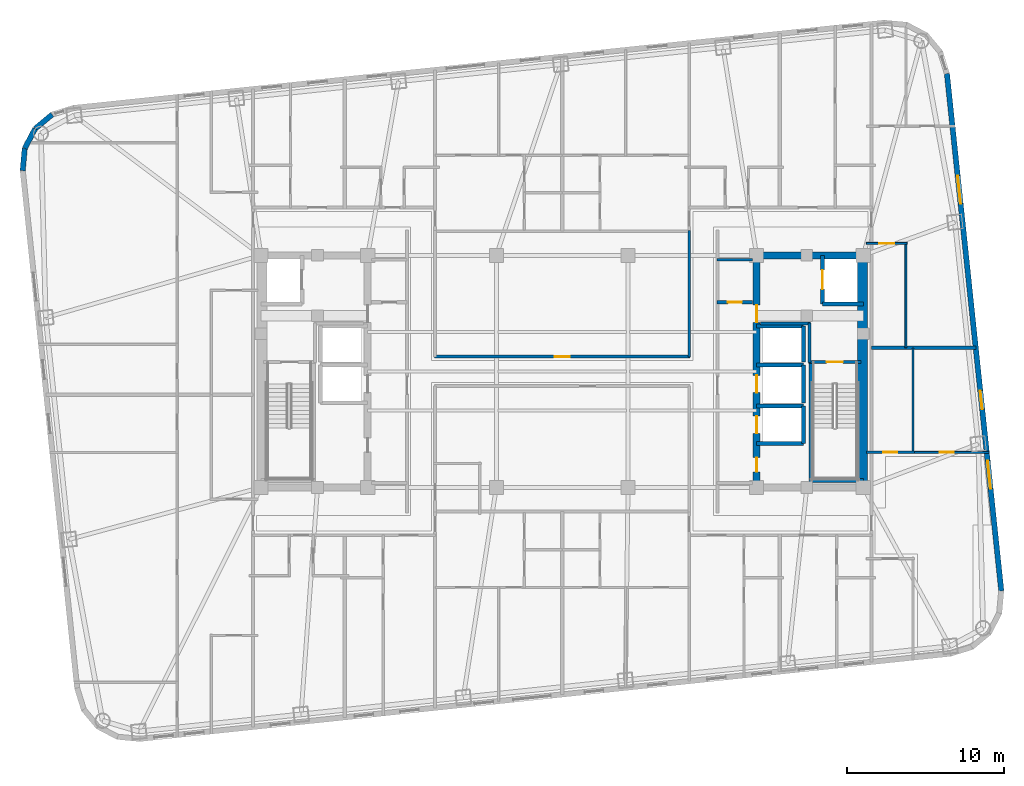
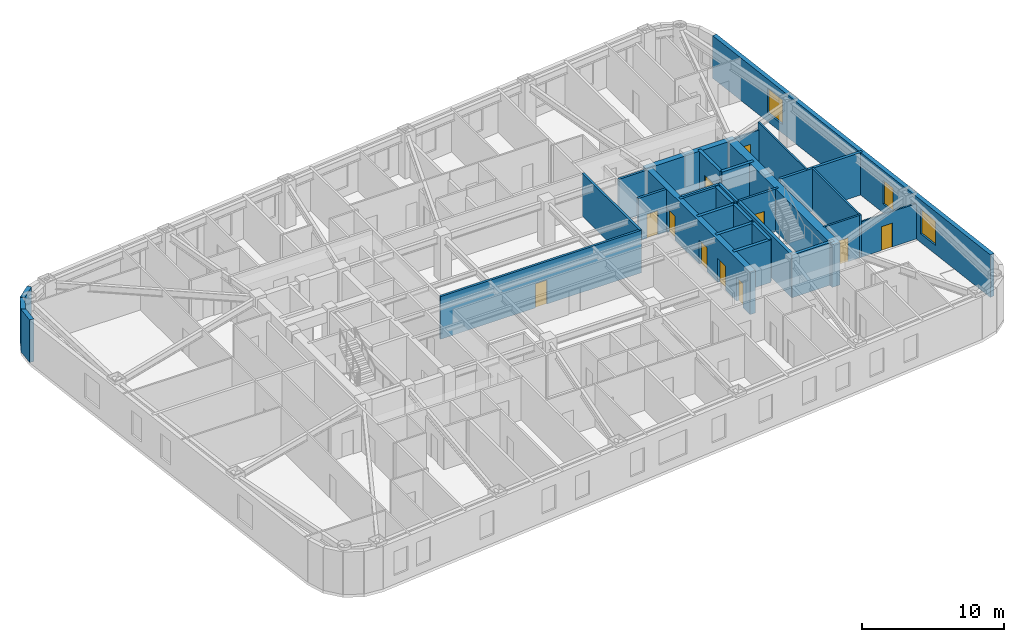
# One storey, part 6 of 12: 31 walls, 11 doors, 3 windows, 14 openings.
"""IFC4 building model written with IfcOpenShell, lengths in metres."""

from ifc_helpers import new_model, si_unit, direction, frame, frame_2d, origin, place, context, subcontext, project, spatial, rectangle, extrude, material, layer, layer_set, type_object, element, fill, save


model = new_model("IFC4")

# Units and contexts
model_context = context("Model", 3, precision=1e-05, world=origin(), true_north=direction((0.0, 1.0)))
body_context = subcontext(model_context, "Body", "Model", "MODEL_VIEW")
ifc_project = project(units=[si_unit("LENGTHUNIT", "METRE"), si_unit("AREAUNIT", "SQUARE_METRE"), si_unit("VOLUMEUNIT", "CUBIC_METRE"), si_unit("PLANEANGLEUNIT", "RADIAN"), si_unit("MASSUNIT", "GRAM", prefix="KILO")], contexts=[model_context])

# Site, building, storey
site_placement = place(None, origin())
site = spatial("IfcSite", under=ifc_project, at=site_placement, CompositionType="ELEMENT")
building_placement = place(site_placement, origin())
building = spatial("IfcBuilding", under=site, at=building_placement, Name="Voryun Gate Residences", CompositionType="ELEMENT")
storey_placement = place(building_placement, frame((0.0, 0.0, 159.89990234375)))
storey = spatial("IfcBuildingStorey", under=building, at=storey_placement, Name="L39", CompositionType="ELEMENT", Elevation=159.89990234375)

# Wall
ifc_material_1 = material(Name="Concrete C50/60", Category="concrete")
ifc_layer_1 = layer(ifc_material_1, 0.449951171875, Name="CW_CORE_450")
ifc_layer_set_1 = layer_set([ifc_layer_1], Name="Concrete C50/60")
wall_type_1 = type_object("IfcWallType", Name="CW_CORE_450", PredefinedType="SHEAR", material=ifc_layer_set_1)
wall_1_placement = place(storey_placement, frame((12.175048828125, 7.39990234375, 0.0), z_axis=(0.0, 0.0, 1.0), x_axis=(1.0, 0.0, 0.0)))
element("IfcWall", 1, at=wall_1_placement, inside=storey, type_object=wall_type_1, Name="L39 Core shear wall CW-L39-EN", PredefinedType="SHEAR", context=body_context, shape_type="SweptSolid", body=[
    extrude(rectangle(XDim=7.25, YDim=0.449951171875, at=frame_2d((3.625, 0.0))), origin(), (0.0, 0.0, 1.0), 3.650146484375),
])

# Wall, openings, doors
wall_2_placement = place(storey_placement, frame((12.39990234375, -7.39990234375, 0.0), z_axis=(0.0, 0.0, 1.0), x_axis=(0.0, 1.0, 0.0)))
wall_2 = element("IfcWall", 2, at=wall_2_placement, inside=storey, type_object=wall_type_1, Name="L39 Core shear wall CW-L39-EW", PredefinedType="SHEAR", context=body_context, shape_type="SweptSolid", body=[
    extrude(rectangle(XDim=14.7998046875, YDim=0.449951171875, at=frame_2d((7.39990234375, 0.0))), origin(), (0.0, 0.0, 1.0), 3.650146484375),
])
opening_1_placement = place(wall_2_placement, frame((3.449951171875, 0.0, 0.0)))
opening_1 = element("IfcOpeningElement", 3, at=opening_1_placement, cuts=wall_2, Name="Opening LD2", PredefinedType="OPENING", context=body_context, shape_type="SweptSolid", body=[
    extrude(rectangle(XDim=1.10009765625, YDim=2.050048828125, at=frame_2d((0.550048828125, 1.02490234375))), frame((0.0, 0.235107421875, 0.0), z_axis=(0.0, -1.0, 0.0), x_axis=(1.0, 0.0, 0.0)), (0.0, 0.0, 1.0), 0.469970703125),
])
opening_2_placement = place(wall_2_placement, frame((6.050048828125, 0.0, 0.0)))
opening_2 = element("IfcOpeningElement", 4, at=opening_2_placement, cuts=wall_2, Name="Opening LD2", PredefinedType="OPENING", context=body_context, shape_type="SweptSolid", body=[
    extrude(rectangle(XDim=1.10009765625, YDim=2.050048828125, at=frame_2d((0.550048828125, 1.02490234375))), frame((0.0, 0.235107421875, 0.0), z_axis=(0.0, -1.0, 0.0), x_axis=(1.0, 0.0, 0.0)), (0.0, 0.0, 1.0), 0.469970703125),
])
opening_3_placement = place(wall_2_placement, frame((10.530029296875, 0.0, 0.0)))
opening_3 = element("IfcOpeningElement", 5, at=opening_3_placement, cuts=wall_2, Name="Opening D-FD60-2", PredefinedType="OPENING", context=body_context, shape_type="SweptSolid", body=[
    extrude(rectangle(XDim=1.10009765625, YDim=2.050048828125, at=frame_2d((0.550048828125, 1.02490234375))), frame((0.0, 0.235107421875, 0.0), z_axis=(0.0, -1.0, 0.0), x_axis=(1.0, 0.0, 0.0)), (0.0, 0.0, 1.0), 0.469970703125),
])
opening_4_placement = place(wall_2_placement, frame((1.0, 0.0, 0.0)))
opening_4 = element("IfcOpeningElement", 6, at=opening_4_placement, cuts=wall_2, Name="Opening D-FD60-4", PredefinedType="OPENING", context=body_context, shape_type="SweptSolid", body=[
    extrude(rectangle(XDim=0.89990234375, YDim=2.050048828125, at=frame_2d((0.449951171875, 1.02490234375))), frame((0.0, 0.235107421875, 0.0), z_axis=(0.0, -1.0, 0.0), x_axis=(1.0, 0.0, 0.0)), (0.0, 0.0, 1.0), 0.469970703125),
])
ifc_material_2 = material(Name="Painted steel fire door", Category="steel")
door_type_1 = type_object("IfcDoorType", Name="DR_FD60_FFLOB_1100", OperationType="NOTDEFINED", PredefinedType="DOOR", material=ifc_material_2)
door_1_placement = place(opening_3_placement, origin())
door_1 = element("IfcDoor", 7, at=door_1_placement, inside=storey, type_object=door_type_1, Name="Door DR-L39-CLOB-E", OperationType="SINGLE_SWING_RIGHT", OverallHeight=2.050048828125, OverallWidth=1.10009765625, PredefinedType="DOOR", context=body_context, shape_type="SweptSolid", body=[
    extrude(rectangle(XDim=1.10009765625, YDim=2.050048828125, at=frame_2d((0.550048828125, 1.02490234375))), frame((0.0, 0.02490234375, 0.0), z_axis=(0.0, -1.0, 0.0), x_axis=(1.0, 0.0, 0.0)), (0.0, 0.0, 1.0), 0.050048828125),
])
fill(opening_3, door_1)
ifc_material_3 = material(Name="Painted steel fire door", Category="steel")
door_type_2 = type_object("IfcDoorType", Name="DR_FD60_RISER_900", OperationType="NOTDEFINED", PredefinedType="DOOR", material=ifc_material_3)
door_2_placement = place(opening_4_placement, origin())
door_2 = element("IfcDoor", 8, at=door_2_placement, inside=storey, type_object=door_type_2, Name="Door DR-L39-RECE1", OperationType="SINGLE_SWING_RIGHT", OverallHeight=2.050048828125, OverallWidth=0.89990234375, PredefinedType="DOOR", context=body_context, shape_type="SweptSolid", body=[
    extrude(rectangle(XDim=0.89990234375, YDim=2.050048828125, at=frame_2d((0.449951171875, 1.02490234375))), frame((0.0, 0.02490234375, 0.0), z_axis=(0.0, -1.0, 0.0), x_axis=(1.0, 0.0, 0.0)), (0.0, 0.0, 1.0), 0.050048828125),
])
fill(opening_4, door_2)
ifc_material_4 = material(Name="Anodised aluminium", Category="aluminium")
door_type_3 = type_object("IfcDoorType", Name="DR_LD_PASS_1100", OperationType="NOTDEFINED", PredefinedType="DOOR", material=ifc_material_4)
door_3_placement = place(opening_1_placement, origin())
door_3 = element("IfcDoor", 9, at=door_3_placement, inside=storey, type_object=door_type_3, Name="Lift EL-P5 sliding landing door L39", OperationType="SLIDING_TO_LEFT", OverallHeight=2.050048828125, OverallWidth=1.10009765625, PredefinedType="DOOR", context=body_context, shape_type="SweptSolid", body=[
    extrude(rectangle(XDim=1.10009765625, YDim=2.050048828125, at=frame_2d((0.550048828125, 1.02490234375))), frame((0.0, 0.02490234375, 0.0), z_axis=(0.0, -1.0, 0.0), x_axis=(1.0, 0.0, 0.0)), (0.0, 0.0, 1.0), 0.050048828125),
])
fill(opening_1, door_3)
door_4_placement = place(opening_2_placement, origin())
door_4 = element("IfcDoor", 10, at=door_4_placement, inside=storey, type_object=door_type_3, Name="Lift EL-P6 sliding landing door L39", OperationType="SLIDING_TO_LEFT", OverallHeight=2.050048828125, OverallWidth=1.10009765625, PredefinedType="DOOR", context=body_context, shape_type="SweptSolid", body=[
    extrude(rectangle(XDim=1.10009765625, YDim=2.050048828125, at=frame_2d((0.550048828125, 1.02490234375))), frame((0.0, 0.02490234375, 0.0), z_axis=(0.0, -1.0, 0.0), x_axis=(1.0, 0.0, 0.0)), (0.0, 0.0, 1.0), 0.050048828125),
])
fill(opening_2, door_4)

# Wall
ifc_material_5 = material(Name="Concrete C60/75", Category="concrete")
ifc_layer_2 = layer(ifc_material_5, 0.64990234375, Name="CW_CORE_650")
ifc_layer_set_2 = layer_set([ifc_layer_2], Name="Concrete C60/75")
wall_type_2 = type_object("IfcWallType", Name="CW_CORE_650", PredefinedType="SHEAR", material=ifc_layer_set_2)
wall_3_placement = place(storey_placement, frame((19.14501953125, -7.39990234375, 0.0), z_axis=(0.0, 0.0, 1.0), x_axis=(0.0, 1.0, 0.0)))
element("IfcWall", 11, at=wall_3_placement, inside=storey, type_object=wall_type_2, Name="L39 Core shear wall CW-L39-EE", PredefinedType="SHEAR", context=body_context, shape_type="SweptSolid", body=[
    extrude(rectangle(XDim=14.7998046875, YDim=0.64990234375, at=frame_2d((7.39990234375, 0.0))), origin(), (0.0, 0.0, 1.0), 3.650146484375),
])

# Wall, opening, door
ifc_material_6 = material(Name="Gypsum acoustic fireboard")
ifc_layer_3 = layer(ifc_material_6, 0.179931640625, Name="W_CORR_RATED_180")
ifc_layer_set_3 = layer_set([ifc_layer_3], Name="Gypsum acoustic fireboard")
wall_type_3 = type_object("IfcWallType", Name="W_CORR_RATED_180", PredefinedType="PARTITIONING", material=ifc_layer_set_3)
wall_4_placement = place(storey_placement, frame((15.699951171875, 0.60009765625, 0.0), z_axis=(0.0, 0.0, 1.0), x_axis=(1.0, 0.0, 0.0)))
wall_4 = element("IfcWall", 12, at=wall_4_placement, inside=storey, type_object=wall_type_3, Name="Partition wall WP-L39-STV-E", PredefinedType="PARTITIONING", context=body_context, shape_type="SweptSolid", body=[
    extrude(rectangle(XDim=3.360107421875, YDim=0.179931640625, at=frame_2d((1.68017578125, 0.0))), origin(), (0.0, 0.0, 1.0), 3.650146484375),
])
opening_5_placement = place(wall_4_placement, frame((1.155029296875, 0.0, 0.0)))
opening_5 = element("IfcOpeningElement", 13, at=opening_5_placement, cuts=wall_4, Name="Opening D-FD60-1", PredefinedType="OPENING", context=body_context, shape_type="SweptSolid", body=[
    extrude(rectangle(XDim=1.050048828125, YDim=2.050048828125, at=frame_2d((0.52490234375, 1.02490234375))), frame((0.0, 0.099853515625, 0.0), z_axis=(0.0, -1.0, 0.0), x_axis=(1.0, 0.0, 0.0)), (0.0, 0.0, 1.0), 0.199951171875),
])
ifc_material_7 = material(Name="Painted steel fire door", Category="steel")
door_type_4 = type_object("IfcDoorType", Name="DR_FD60_STAIR_1050", OperationType="NOTDEFINED", PredefinedType="DOOR", material=ifc_material_7)
door_5_placement = place(opening_5_placement, origin())
door_5 = element("IfcDoor", 14, at=door_5_placement, inside=storey, type_object=door_type_4, Name="Door DR-L39-ST-E", OperationType="SINGLE_SWING_RIGHT", OverallHeight=2.050048828125, OverallWidth=1.050048828125, PredefinedType="DOOR", context=body_context, shape_type="SweptSolid", body=[
    extrude(rectangle(XDim=1.050048828125, YDim=2.050048828125, at=frame_2d((0.52490234375, 1.02490234375))), frame((0.0, 0.02490234375, 0.0), z_axis=(0.0, -1.0, 0.0), x_axis=(1.0, 0.0, 0.0)), (0.0, 0.0, 1.0), 0.050048828125),
])
fill(opening_5, door_5)

# Wall
wall_5_placement = place(storey_placement, frame((9.8798828125, 7.1201171875, 0.0), z_axis=(0.0, 0.0, 1.0), x_axis=(1.0, 0.0, 0.0)))
element("IfcWall", 15, at=wall_5_placement, inside=storey, type_object=wall_type_3, Name="Partition wall WP-L39-PLBN-E", PredefinedType="PARTITIONING", context=body_context, shape_type="SweptSolid", body=[
    extrude(rectangle(XDim=2.27001953125, YDim=0.179931640625, at=frame_2d((1.135009765625, 0.0))), origin(), (0.0, 0.0, 1.0), 3.650146484375),
])

# Wall, opening, door
wall_6_placement = place(storey_placement, frame((-8.14990234375, 0.93994140625, 0.0), z_axis=(0.0, 0.0, 1.0), x_axis=(1.0, 0.0, 0.0)))
wall_6 = element("IfcWall", 16, at=wall_6_placement, inside=storey, type_object=wall_type_3, Name="Partition wall WP-L39-Z2HN", PredefinedType="PARTITIONING", context=body_context, shape_type="SweptSolid", body=[
    extrude(rectangle(XDim=16.2998046875, YDim=0.179931640625, at=frame_2d((8.14990234375, 0.0))), origin(), (0.0, 0.0, 1.0), 3.650146484375),
])
opening_6_placement = place(wall_6_placement, frame((7.675048828125, 0.0, 0.0)))
opening_6 = element("IfcOpeningElement", 17, at=opening_6_placement, cuts=wall_6, Name="Opening D-INT-1", PredefinedType="OPENING", context=body_context, shape_type="SweptSolid", body=[
    extrude(rectangle(XDim=0.949951171875, YDim=2.050048828125, at=frame_2d((0.47509765625, 1.02490234375))), frame((0.0, 0.099853515625, 0.0), z_axis=(0.0, -1.0, 0.0), x_axis=(1.0, 0.0, 0.0)), (0.0, 0.0, 1.0), 0.199951171875),
])
ifc_material_8 = material(Name="Architectural oak veneer")
door_type_5 = type_object("IfcDoorType", Name="DR_INT_ROOM_950", OperationType="NOTDEFINED", PredefinedType="DOOR", material=ifc_material_8)
door_6_placement = place(opening_6_placement, origin())
door_6 = element("IfcDoor", 18, at=door_6_placement, inside=storey, type_object=door_type_5, Name="Door DR-L39-Z2NH", OperationType="SINGLE_SWING_LEFT", OverallHeight=2.050048828125, OverallWidth=0.949951171875, PredefinedType="DOOR", context=body_context, shape_type="SweptSolid", body=[
    extrude(rectangle(XDim=0.949951171875, YDim=2.050048828125, at=frame_2d((0.47509765625, 1.02490234375))), frame((0.0, 0.02490234375, 0.0), z_axis=(0.0, -1.0, 0.0), x_axis=(1.0, 0.0, 0.0)), (0.0, 0.0, 1.0), 0.050048828125),
])
fill(opening_6, door_6)

# Walls
wall_7_placement = place(storey_placement, frame((8.10009765625, 0.919921875, 0.0), z_axis=(0.0, 0.0, 1.0), x_axis=(0.0, 1.0, 0.0)))
element("IfcWall", 19, at=wall_7_placement, inside=storey, type_object=wall_type_3, Name="Partition wall WP-L39-Z2ER1", PredefinedType="PARTITIONING", context=body_context, shape_type="SweptSolid", body=[
    extrude(rectangle(XDim=8.06005859375, YDim=0.179931640625, at=frame_2d((4.030029296875, 0.0))), origin(), (0.0, 0.0, 1.0), 3.650146484375),
])
ifc_material_9 = material(Name="Charcoal terracotta masonry", Category="masonry")
ifc_layer_4 = layer(ifc_material_9, 0.340087890625, Name="W_EXT_TERRACOTTA_340")
ifc_layer_set_4 = layer_set([ifc_layer_4], Name="Charcoal terracotta masonry")
wall_type_4 = type_object("IfcWallType", Name="W_EXT_TERRACOTTA_340", PredefinedType="ELEMENTEDWALL", material=ifc_layer_set_4)
wall_8_placement = place(storey_placement, frame((-34.401123046875, 12.795166015625, 0.0), z_axis=(0.0, 0.0, 1.0), x_axis=(0.091534682358, 0.995801888894, 0.0)))
element("IfcWall", 20, at=wall_8_placement, inside=storey, type_object=wall_type_4, Name="Exterior wall WEXT-L39-07", PredefinedType="ELEMENTEDWALL", context=body_context, shape_type="SweptSolid", body=[
    extrude(rectangle(XDim=1.432373046875, YDim=0.340087890625, at=frame_2d((0.71630859375, 0.0))), origin(), (0.0, 0.0, 1.0), 3.650146484375),
])
for number, where, z_axis, x_axis, name in (
    (21, (-34.27001953125, 14.221435546875, 0.0), (0.0, 0.0, 1.0), (0.465682431293, 0.884951904447, 0.0), "Exterior wall WEXT-L39-08"),
    (22, (-33.611083984375, 15.4736328125, 0.0), (0.0, 0.0, 1.0), (0.768843196093, 0.639437361921, 0.0), "Exterior wall WEXT-L39-09"),
):
    element("IfcWall", number, at=place(storey_placement, frame(where, z_axis=z_axis, x_axis=x_axis)), inside=storey, type_object=wall_type_4, Name=name, PredefinedType="ELEMENTEDWALL", context=body_context, shape_type="SweptSolid", body=[
        extrude(rectangle(XDim=1.4150390625, YDim=0.340087890625, at=frame_2d((0.70751953125, 0.0))), origin(), (0.0, 0.0, 1.0), 3.650146484375),
    ])

# Wall, openings, windows
wall_9_placement = place(storey_placement, frame((24.5341796875, 18.989501953125, 0.0), z_axis=(0.0, 0.0, 1.0), x_axis=(0.104534959766, -0.994521212537, 0.0)))
wall_9 = element("IfcWall", 23, at=wall_9_placement, inside=storey, type_object=wall_type_4, Name="Exterior wall WEXT-L39-16", PredefinedType="ELEMENTEDWALL", context=body_context, shape_type="SweptSolid", body=[
    extrude(rectangle(XDim=33.166259765625, YDim=0.340087890625, at=frame_2d((16.5830078125, 0.0))), origin(), (0.0, 0.0, 1.0), 3.650146484375),
])
opening_7_placement = place(wall_9_placement, frame((6.54150390625, 0.0, 0.75)))
opening_7 = element("IfcOpeningElement", 24, at=opening_7_placement, cuts=wall_9, Name="Opening WN1", PredefinedType="OPENING", context=body_context, shape_type="SweptSolid", body=[
    extrude(rectangle(XDim=1.800048828125, YDim=2.10009765625, at=frame_2d((0.89990234375, 1.050048828125))), frame((0.0, 0.179931640625, 0.0), z_axis=(0.0, -1.0, 0.0), x_axis=(1.0, 0.0, 0.0)), (0.0, 0.0, 1.0), 0.360107421875),
])
opening_8_placement = place(wall_9_placement, frame((24.824951171875, 0.0, 0.75)))
opening_8 = element("IfcOpeningElement", 25, at=opening_8_placement, cuts=wall_9, Name="Opening WN1", PredefinedType="OPENING", context=body_context, shape_type="SweptSolid", body=[
    extrude(rectangle(XDim=1.800048828125, YDim=2.10009765625, at=frame_2d((0.89990234375, 1.050048828125))), frame((0.0, 0.179931640625, 0.0), z_axis=(0.0, -1.0, 0.0), x_axis=(1.0, 0.0, 0.0)), (0.0, 0.0, 1.0), 0.360107421875),
])
opening_9_placement = place(wall_9_placement, frame((20.33203125, 0.0, 0.75)))
opening_9 = element("IfcOpeningElement", 26, at=opening_9_placement, cuts=wall_9, Name="Opening WN6", PredefinedType="OPENING", context=body_context, shape_type="SweptSolid", body=[
    extrude(rectangle(XDim=1.199951171875, YDim=2.050048828125, at=frame_2d((0.60009765625, 1.02490234375))), frame((0.0, 0.179931640625, 0.0), z_axis=(0.0, -1.0, 0.0), x_axis=(1.0, 0.0, 0.0)), (0.0, 0.0, 1.0), 0.360107421875),
])
ifc_material_10 = material(Name="Laminated low-E glass", Category="glass")
window_type_1 = type_object("IfcWindowType", Name="WN_POD_SLOT_1200", PartitioningType="SINGLE_PANEL", PredefinedType="WINDOW", material=ifc_material_10)
window_1_placement = place(opening_9_placement, origin())
window_1 = element("IfcWindow", 27, at=window_1_placement, inside=storey, type_object=window_type_1, Name="Window WN-L39-DWFIX-26", OverallHeight=2.050048828125, OverallWidth=1.199951171875, PartitioningType="SINGLE_PANEL", PredefinedType="WINDOW", context=body_context, shape_type="SweptSolid", body=[
    extrude(rectangle(XDim=1.199951171875, YDim=2.050048828125, at=frame_2d((0.60009765625, 1.02490234375))), frame((0.0, 0.030029296875, 0.0), z_axis=(0.0, -1.0, 0.0), x_axis=(1.0, 0.0, 0.0)), (0.0, 0.0, 1.0), 0.06005859375),
])
fill(opening_9, window_1)
ifc_material_11 = material(Name="Laminated low-E glass", Category="glass")
window_type_2 = type_object("IfcWindowType", Name="WN_RES_PUNCH_1800", PartitioningType="SINGLE_PANEL", PredefinedType="WINDOW", material=ifc_material_11)
window_2_placement = place(opening_7_placement, origin())
window_2 = element("IfcWindow", 28, at=window_2_placement, inside=storey, type_object=window_type_2, Name="Window WN-WEXT-L39-16-01", OverallHeight=2.10009765625, OverallWidth=1.800048828125, PartitioningType="SINGLE_PANEL", PredefinedType="WINDOW", context=body_context, shape_type="SweptSolid", body=[
    extrude(rectangle(XDim=1.800048828125, YDim=2.10009765625, at=frame_2d((0.89990234375, 1.050048828125))), frame((0.0, 0.030029296875, 0.0), z_axis=(0.0, -1.0, 0.0), x_axis=(1.0, 0.0, 0.0)), (0.0, 0.0, 1.0), 0.06005859375),
])
fill(opening_7, window_2)
window_3_placement = place(opening_8_placement, origin())
window_3 = element("IfcWindow", 29, at=window_3_placement, inside=storey, type_object=window_type_2, Name="Window WN-WEXT-L39-16-02", OverallHeight=2.10009765625, OverallWidth=1.800048828125, PartitioningType="SINGLE_PANEL", PredefinedType="WINDOW", context=body_context, shape_type="SweptSolid", body=[
    extrude(rectangle(XDim=1.800048828125, YDim=2.10009765625, at=frame_2d((0.89990234375, 1.050048828125))), frame((0.0, 0.030029296875, 0.0), z_axis=(0.0, -1.0, 0.0), x_axis=(1.0, 0.0, 0.0)), (0.0, 0.0, 1.0), 0.06005859375),
])
fill(opening_8, window_3)

# Walls
ifc_material_12 = material(Name="Concrete C40/50", Category="concrete")
ifc_layer_5 = layer(ifc_material_12, 0.199951171875, Name="W_FF_LOBBY_200")
ifc_layer_set_5 = layer_set([ifc_layer_5], Name="Concrete C40/50")
wall_type_5 = type_object("IfcWallType", Name="W_FF_LOBBY_200", PredefinedType="PARTITIONING", material=ifc_layer_set_5)
wall_10_placement = place(storey_placement, frame((15.760009765625, 0.580078125, 0.0), z_axis=(0.0, 0.0, 1.0), x_axis=(0.0, 1.0, 0.0)))
element("IfcWall", 30, at=wall_10_placement, inside=storey, type_object=wall_type_5, Name="Partition wall WP-L39-FFP0-E", PredefinedType="PARTITIONING", context=body_context, shape_type="SweptSolid", body=[
    extrude(rectangle(XDim=2.52001953125, YDim=0.199951171875, at=frame_2d((1.260009765625, 0.0))), origin(), (0.0, 0.0, 1.0), 3.650146484375),
])
wall_11_placement = place(storey_placement, frame((12.659912109375, 3.06005859375, 0.0), z_axis=(0.0, 0.0, 1.0), x_axis=(1.0, 0.0, 0.0)))
element("IfcWall", 31, at=wall_11_placement, inside=storey, type_object=wall_type_5, Name="Partition wall WP-L39-FFPS-E", PredefinedType="PARTITIONING", context=body_context, shape_type="SweptSolid", body=[
    extrude(rectangle(XDim=3.16015625, YDim=0.199951171875, at=frame_2d((1.580078125, 0.0))), origin(), (0.0, 0.0, 1.0), 3.650146484375),
])

# Wall, opening, door
wall_12_placement = place(storey_placement, frame((9.8798828125, 4.409912109375, 0.0), z_axis=(0.0, 0.0, 1.0), x_axis=(1.0, 0.0, 0.0)))
wall_12 = element("IfcWall", 32, at=wall_12_placement, inside=storey, type_object=wall_type_5, Name="Partition wall WP-L39-CSFLKS-E", PredefinedType="PARTITIONING", context=body_context, shape_type="SweptSolid", body=[
    extrude(rectangle(XDim=2.27001953125, YDim=0.199951171875, at=frame_2d((1.135009765625, 0.0))), origin(), (0.0, 0.0, 1.0), 3.650146484375),
])
opening_10_placement = place(wall_12_placement, frame((0.68505859375, 0.0, 0.0)))
opening_10 = element("IfcOpeningElement", 33, at=opening_10_placement, cuts=wall_12, Name="Opening D-FD60-4", PredefinedType="OPENING", context=body_context, shape_type="SweptSolid", body=[
    extrude(rectangle(XDim=0.89990234375, YDim=2.050048828125, at=frame_2d((0.449951171875, 1.02490234375))), frame((0.0, 0.110107421875, 0.0), z_axis=(0.0, -1.0, 0.0), x_axis=(1.0, 0.0, 0.0)), (0.0, 0.0, 1.0), 0.219970703125),
])
door_7_placement = place(opening_10_placement, origin())
door_7 = element("IfcDoor", 34, at=door_7_placement, inside=storey, type_object=door_type_2, Name="Door DR-L39-CSFLK-E", OperationType="SINGLE_SWING_RIGHT", OverallHeight=2.050048828125, OverallWidth=0.89990234375, PredefinedType="DOOR", context=body_context, shape_type="SweptSolid", body=[
    extrude(rectangle(XDim=0.89990234375, YDim=2.050048828125, at=frame_2d((0.449951171875, 1.02490234375))), frame((0.0, 0.02490234375, 0.0), z_axis=(0.0, -1.0, 0.0), x_axis=(1.0, 0.0, 0.0)), (0.0, 0.0, 1.0), 0.050048828125),
])
fill(opening_10, door_7)

# Walls
ifc_material_13 = material(Name="Concrete C40/50", Category="concrete")
ifc_layer_6 = layer(ifc_material_13, 0.219970703125, Name="W_PARTY_ACOUSTIC_220")
ifc_layer_set_6 = layer_set([ifc_layer_6], Name="Concrete C40/50")
wall_type_6 = type_object("IfcWallType", Name="W_PARTY_ACOUSTIC_220", PredefinedType="PARTITIONING", material=ifc_layer_set_6)
wall_13_placement = place(storey_placement, frame((19.719970703125, 1.5, 0.0), z_axis=(0.0, 0.0, 1.0), x_axis=(1.0, 0.0, 0.0)))
element("IfcWall", 35, at=wall_13_placement, inside=storey, type_object=wall_type_6, Name="Partition wall WP-L39-EPTY", PredefinedType="PARTITIONING", context=body_context, shape_type="SweptSolid", body=[
    extrude(rectangle(XDim=6.652587890625, YDim=0.219970703125, at=frame_2d((3.326171875, 0.0))), origin(), (0.0, 0.0, 1.0), 3.650146484375),
])
ifc_material_14 = material(Name="Concrete C50/60", Category="concrete")
ifc_layer_7 = layer(ifc_material_14, 0.25, Name="W_SHAFT_RC250")
ifc_layer_set_7 = layer_set([ifc_layer_7], Name="Concrete C50/60")
wall_type_7 = type_object("IfcWallType", Name="W_SHAFT_RC250", PredefinedType="SOLIDWALL", material=ifc_layer_set_7)
wall_14_placement = place(storey_placement, frame((15.860107421875, -7.0849609375, 0.0), z_axis=(0.0, 0.0, 1.0), x_axis=(0.0, 1.0, 0.0)))
element("IfcWall", 36, at=wall_14_placement, inside=storey, type_object=wall_type_7, Name="L39 Stair shaft structural wall E-STL", PredefinedType="SOLIDWALL", context=body_context, shape_type="SweptSolid", body=[
    extrude(rectangle(XDim=7.68505859375, YDim=0.25, at=frame_2d((3.842529296875, 0.0))), origin(), (0.0, 0.0, 1.0), 3.650146484375),
])
wall_15_placement = place(storey_placement, frame((15.739990234375, -6.965087890625, 0.0), z_axis=(0.0, 0.0, 1.0), x_axis=(1.0, 0.0, 0.0)))
element("IfcWall", 37, at=wall_15_placement, inside=storey, type_object=wall_type_7, Name="L39 Stair shaft structural wall E-STS", PredefinedType="SOLIDWALL", context=body_context, shape_type="SweptSolid", body=[
    extrude(rectangle(XDim=3.4599609375, YDim=0.25, at=frame_2d((1.72998046875, 0.0))), origin(), (0.0, 0.0, 1.0), 3.650146484375),
])
wall_16_placement = place(storey_placement, frame((16.60009765625, 4.300048828125, 0.0), z_axis=(0.0, 0.0, 1.0), x_axis=(1.0, 0.0, 0.0)))
element("IfcWall", 38, at=wall_16_placement, inside=storey, type_object=wall_type_7, Name="Lift shaft wall WSH-L39-EL-FF-E1-S", PredefinedType="SOLIDWALL", context=body_context, shape_type="SweptSolid", body=[
    extrude(rectangle(XDim=2.599853515625, YDim=0.25, at=frame_2d((1.2998046875, 0.0))), origin(), (0.0, 0.0, 1.0), 3.650146484375),
])

# Wall, opening, door
wall_17_placement = place(storey_placement, frame((16.60009765625, 7.39990234375, 0.0), z_axis=(0.0, 0.0, 1.0), x_axis=(0.0, -1.0, 0.0)))
wall_17 = element("IfcWall", 39, at=wall_17_placement, inside=storey, type_object=wall_type_7, Name="Lift shaft wall WSH-L39-EL-FF-E1-W", PredefinedType="SOLIDWALL", context=body_context, shape_type="SweptSolid", body=[
    extrude(rectangle(XDim=3.099853515625, YDim=0.25, at=frame_2d((1.5498046875, 0.0))), origin(), (0.0, 0.0, 1.0), 3.650146484375),
])
opening_11_placement = place(wall_17_placement, frame((0.949951171875, 0.0, 0.0)))
opening_11 = element("IfcOpeningElement", 40, at=opening_11_placement, cuts=wall_17, Name="Opening LD1", PredefinedType="OPENING", context=body_context, shape_type="SweptSolid", body=[
    extrude(rectangle(XDim=1.199951171875, YDim=2.050048828125, at=frame_2d((0.60009765625, 1.02490234375))), frame((0.0, 0.135009765625, 0.0), z_axis=(0.0, -1.0, 0.0), x_axis=(1.0, 0.0, 0.0)), (0.0, 0.0, 1.0), 0.27001953125),
])
ifc_material_15 = material(Name="Anodised aluminium", Category="aluminium")
door_type_6 = type_object("IfcDoorType", Name="DR_LD_FF_1200", OperationType="NOTDEFINED", PredefinedType="DOOR", material=ifc_material_15)
door_8_placement = place(opening_11_placement, origin())
door_8 = element("IfcDoor", 41, at=door_8_placement, inside=storey, type_object=door_type_6, Name="Lift EL-FF-E1 sliding landing door L39", OperationType="SLIDING_TO_LEFT", OverallHeight=2.050048828125, OverallWidth=1.199951171875, PredefinedType="DOOR", context=body_context, shape_type="SweptSolid", body=[
    extrude(rectangle(XDim=1.199951171875, YDim=2.050048828125, at=frame_2d((0.60009765625, 1.02490234375))), frame((0.0, 0.02490234375, 0.0), z_axis=(0.0, -1.0, 0.0), x_axis=(1.0, 0.0, 0.0)), (0.0, 0.0, 1.0), 0.050048828125),
])
fill(opening_11, door_8)

# Walls
wall_18_placement = place(storey_placement, frame((12.39990234375, -4.60009765625, 0.0), z_axis=(0.0, 0.0, 1.0), x_axis=(1.0, 0.0, 0.0)))
element("IfcWall", 42, at=wall_18_placement, inside=storey, type_object=wall_type_7, Name="Lift shaft wall WSH-L39-EL-P5-S", PredefinedType="SOLIDWALL", context=body_context, shape_type="SweptSolid", body=[
    extrude(rectangle(XDim=3.0, YDim=0.25, at=frame_2d((1.5, 0.0))), origin(), (0.0, 0.0, 1.0), 3.650146484375),
])
wall_19_placement = place(storey_placement, frame((15.39990234375, -4.60009765625, 0.0), z_axis=(0.0, 0.0, 1.0), x_axis=(0.0, 1.0, 0.0)))
element("IfcWall", 43, at=wall_19_placement, inside=storey, type_object=wall_type_7, Name="Lift shaft wall WSH-L39-EL-P5-E", PredefinedType="SOLIDWALL", context=body_context, shape_type="SweptSolid", body=[
    extrude(rectangle(XDim=2.400146484375, YDim=0.25, at=frame_2d((1.2001953125, 0.0))), origin(), (0.0, 0.0, 1.0), 3.650146484375),
])
wall_20_placement = place(storey_placement, frame((15.39990234375, -2.199951171875, 0.0), z_axis=(0.0, 0.0, 1.0), x_axis=(-1.0, 0.0, 0.0)))
element("IfcWall", 44, at=wall_20_placement, inside=storey, type_object=wall_type_7, Name="Lift shaft wall WSH-L39-EL-P5-N", PredefinedType="SOLIDWALL", context=body_context, shape_type="SweptSolid", body=[
    extrude(rectangle(XDim=3.0, YDim=0.25, at=frame_2d((1.5, 0.0))), origin(), (0.0, 0.0, 1.0), 3.650146484375),
])
wall_21_placement = place(storey_placement, frame((15.39990234375, -2.0, 0.0), z_axis=(0.0, 0.0, 1.0), x_axis=(0.0, 1.0, 0.0)))
element("IfcWall", 45, at=wall_21_placement, inside=storey, type_object=wall_type_7, Name="Lift shaft wall WSH-L39-EL-P6-E", PredefinedType="SOLIDWALL", context=body_context, shape_type="SweptSolid", body=[
    extrude(rectangle(XDim=2.39990234375, YDim=0.25, at=frame_2d((1.199951171875, 0.0))), origin(), (0.0, 0.0, 1.0), 3.650146484375),
])
wall_22_placement = place(storey_placement, frame((15.39990234375, 0.39990234375, 0.0), z_axis=(0.0, 0.0, 1.0), x_axis=(-1.0, 0.0, 0.0)))
element("IfcWall", 46, at=wall_22_placement, inside=storey, type_object=wall_type_7, Name="Lift shaft wall WSH-L39-EL-P6-N", PredefinedType="SOLIDWALL", context=body_context, shape_type="SweptSolid", body=[
    extrude(rectangle(XDim=3.0, YDim=0.25, at=frame_2d((1.5, 0.0))), origin(), (0.0, 0.0, 1.0), 3.650146484375),
])
wall_23_placement = place(storey_placement, frame((15.39990234375, 0.60009765625, 0.0), z_axis=(0.0, 0.0, 1.0), x_axis=(0.0, 1.0, 0.0)))
element("IfcWall", 47, at=wall_23_placement, inside=storey, type_object=wall_type_7, Name="Lift shaft wall WSH-L39-EL-P8-E", PredefinedType="SOLIDWALL", context=body_context, shape_type="SweptSolid", body=[
    extrude(rectangle(XDim=2.2998046875, YDim=0.25, at=frame_2d((1.14990234375, 0.0))), origin(), (0.0, 0.0, 1.0), 3.650146484375),
])
wall_24_placement = place(storey_placement, frame((15.39990234375, 2.89990234375, 0.0), z_axis=(0.0, 0.0, 1.0), x_axis=(-1.0, 0.0, 0.0)))
element("IfcWall", 48, at=wall_24_placement, inside=storey, type_object=wall_type_7, Name="Lift shaft wall WSH-L39-EL-P8-N", PredefinedType="SOLIDWALL", context=body_context, shape_type="SweptSolid", body=[
    extrude(rectangle(XDim=3.0, YDim=0.25, at=frame_2d((1.5, 0.0))), origin(), (0.0, 0.0, 1.0), 3.650146484375),
])

# Wall, opening, door
ifc_material_16 = material(Name="Gypsum acoustic partition")
ifc_layer_8 = layer(ifc_material_16, 0.125, Name="W_UNIT_PART_125")
ifc_layer_set_8 = layer_set([ifc_layer_8], Name="Gypsum acoustic partition")
wall_type_8 = type_object("IfcWallType", Name="W_UNIT_PART_125", PredefinedType="PARTITIONING", material=ifc_layer_set_8)
wall_25_placement = place(storey_placement, frame((22.31005859375, -5.159912109375, 0.0), z_axis=(0.0, 0.0, 1.0), x_axis=(1.0, 0.0, 0.0)))
wall_25 = element("IfcWall", 49, at=wall_25_placement, inside=storey, type_object=wall_type_8, Name="Partition wall WP-L39-E1-OHZ", PredefinedType="PARTITIONING", context=body_context, shape_type="SweptSolid", body=[
    extrude(rectangle(XDim=4.913330078125, YDim=0.125, at=frame_2d((2.45654296875, 0.0))), origin(), (0.0, 0.0, 1.0), 3.0400390625),
])
opening_12_placement = place(wall_25_placement, frame((1.760986328125, 0.0, 0.0)))
opening_12 = element("IfcOpeningElement", 50, at=opening_12_placement, cuts=wall_25, Name="Opening D-INT-2", PredefinedType="OPENING", context=body_context, shape_type="SweptSolid", body=[
    extrude(rectangle(XDim=0.89990234375, YDim=2.050048828125, at=frame_2d((0.449951171875, 1.02490234375))), frame((0.0, 0.072509765625, 0.0), z_axis=(0.0, -1.0, 0.0), x_axis=(1.0, 0.0, 0.0)), (0.0, 0.0, 1.0), 0.14501953125),
])
ifc_material_17 = material(Name="Architectural oak veneer")
door_type_7 = type_object("IfcDoorType", Name="DR_INT_BATH_900", OperationType="NOTDEFINED", PredefinedType="DOOR", material=ifc_material_17)
door_9_placement = place(opening_12_placement, origin())
door_9 = element("IfcDoor", 51, at=door_9_placement, inside=storey, type_object=door_type_7, Name="Door DR-L39-E1-DMB", OperationType="SINGLE_SWING_LEFT", OverallHeight=2.050048828125, OverallWidth=0.89990234375, PredefinedType="DOOR", context=body_context, shape_type="SweptSolid", body=[
    extrude(rectangle(XDim=0.89990234375, YDim=2.050048828125, at=frame_2d((0.449951171875, 1.02490234375))), frame((0.0, 0.02490234375, 0.0), z_axis=(0.0, -1.0, 0.0), x_axis=(1.0, 0.0, 0.0)), (0.0, 0.0, 1.0), 0.050048828125),
])
fill(opening_12, door_9)

wall_26_placement = place(storey_placement, frame((19.39990234375, 8.159912109375, 0.0), z_axis=(0.0, 0.0, 1.0), x_axis=(1.0, 0.0, 0.0)))
wall_26 = element("IfcWall", 52, at=wall_26_placement, inside=storey, type_object=wall_type_8, Name="Partition wall WP-L39-E2-IKA", PredefinedType="PARTITIONING", context=body_context, shape_type="SweptSolid", body=[
    extrude(rectangle(XDim=2.60009765625, YDim=0.125, at=frame_2d((1.300048828125, 0.0))), origin(), (0.0, 0.0, 1.0), 3.0400390625),
])
opening_13_placement = place(wall_26_placement, frame((0.824951171875, 0.0, 0.0)))
opening_13 = element("IfcOpeningElement", 53, at=opening_13_placement, cuts=wall_26, Name="Opening D-INT-1", PredefinedType="OPENING", context=body_context, shape_type="SweptSolid", body=[
    extrude(rectangle(XDim=0.949951171875, YDim=2.050048828125, at=frame_2d((0.47509765625, 1.02490234375))), frame((0.0, 0.072509765625, 0.0), z_axis=(0.0, -1.0, 0.0), x_axis=(1.0, 0.0, 0.0)), (0.0, 0.0, 1.0), 0.14501953125),
])
door_10_placement = place(opening_13_placement, origin())
door_10 = element("IfcDoor", 54, at=door_10_placement, inside=storey, type_object=door_type_5, Name="Door DR-L39-E2-DK", OperationType="SINGLE_SWING_LEFT", OverallHeight=2.050048828125, OverallWidth=0.949951171875, PredefinedType="DOOR", context=body_context, shape_type="SweptSolid", body=[
    extrude(rectangle(XDim=0.949951171875, YDim=2.050048828125, at=frame_2d((0.47509765625, 1.02490234375))), frame((0.0, 0.02490234375, 0.0), z_axis=(0.0, -1.0, 0.0), x_axis=(1.0, 0.0, 0.0)), (0.0, 0.0, 1.0), 0.050048828125),
])
fill(opening_13, door_10)

# Wall
wall_27_placement = place(storey_placement, frame((21.919921875, 1.52001953125, 0.0), z_axis=(0.0, 0.0, 1.0), x_axis=(0.0, 1.0, 0.0)))
element("IfcWall", 55, at=wall_27_placement, inside=storey, type_object=wall_type_8, Name="Partition wall WP-L39-E2-VTA", PredefinedType="PARTITIONING", context=body_context, shape_type="SweptSolid", body=[
    extrude(rectangle(XDim=6.719970703125, YDim=0.125, at=frame_2d((3.35986328125, 0.0))), origin(), (0.0, 0.0, 1.0), 3.650146484375),
])

# Wall, opening, door
ifc_material_18 = material(Name="Gypsum moisture-resistant partition")
ifc_layer_9 = layer(ifc_material_18, 0.14990234375, Name="W_WET_PLUMB_150")
ifc_layer_set_9 = layer_set([ifc_layer_9], Name="Gypsum moisture-resistant partition")
wall_type_9 = type_object("IfcWallType", Name="W_WET_PLUMB_150", PredefinedType="PLUMBINGWALL", material=ifc_layer_set_9)
wall_28_placement = place(storey_placement, frame((19.39990234375, -5.159912109375, 0.0), z_axis=(0.0, 0.0, 1.0), x_axis=(1.0, 0.0, 0.0)))
wall_28 = element("IfcWall", 56, at=wall_28_placement, inside=storey, type_object=wall_type_9, Name="Partition wall WP-L39-E1-IBB", PredefinedType="PLUMBINGWALL", context=body_context, shape_type="SweptSolid", body=[
    extrude(rectangle(XDim=3.050048828125, YDim=0.14990234375, at=frame_2d((1.52490234375, 0.0))), origin(), (0.0, 0.0, 1.0), 3.650146484375),
])
opening_14_placement = place(wall_28_placement, frame((1.074951171875, 0.0, 0.0)))
opening_14 = element("IfcOpeningElement", 57, at=opening_14_placement, cuts=wall_28, Name="Opening D-INT-2", PredefinedType="OPENING", context=body_context, shape_type="SweptSolid", body=[
    extrude(rectangle(XDim=0.89990234375, YDim=2.050048828125, at=frame_2d((0.449951171875, 1.02490234375))), frame((0.0, 0.0849609375, 0.0), z_axis=(0.0, -1.0, 0.0), x_axis=(1.0, 0.0, 0.0)), (0.0, 0.0, 1.0), 0.169921875),
])
door_11_placement = place(opening_14_placement, origin())
door_11 = element("IfcDoor", 58, at=door_11_placement, inside=storey, type_object=door_type_7, Name="Door DR-L39-E1-DB", OperationType="SINGLE_SWING_RIGHT", OverallHeight=2.050048828125, OverallWidth=0.89990234375, PredefinedType="DOOR", context=body_context, shape_type="SweptSolid", body=[
    extrude(rectangle(XDim=0.89990234375, YDim=2.050048828125, at=frame_2d((0.449951171875, 1.02490234375))), frame((0.0, 0.02490234375, 0.0), z_axis=(0.0, -1.0, 0.0), x_axis=(1.0, 0.0, 0.0)), (0.0, 0.0, 1.0), 0.050048828125),
])
fill(opening_14, door_11)

# Wall
wall_29_placement = place(storey_placement, frame((22.3701171875, -5.239990234375, 0.0), z_axis=(0.0, 0.0, 1.0), x_axis=(0.0, 1.0, 0.0)))
element("IfcWall", 59, at=wall_29_placement, inside=storey, type_object=wall_type_9, Name="Partition wall WP-L39-E1-VTB", PredefinedType="PLUMBINGWALL", context=body_context, shape_type="SweptSolid", body=[
    extrude(rectangle(XDim=6.719970703125, YDim=0.14990234375, at=frame_2d((3.35986328125, 0.0))), origin(), (0.0, 0.0, 1.0), 3.650146484375),
])

save(model, "model.ifc")
